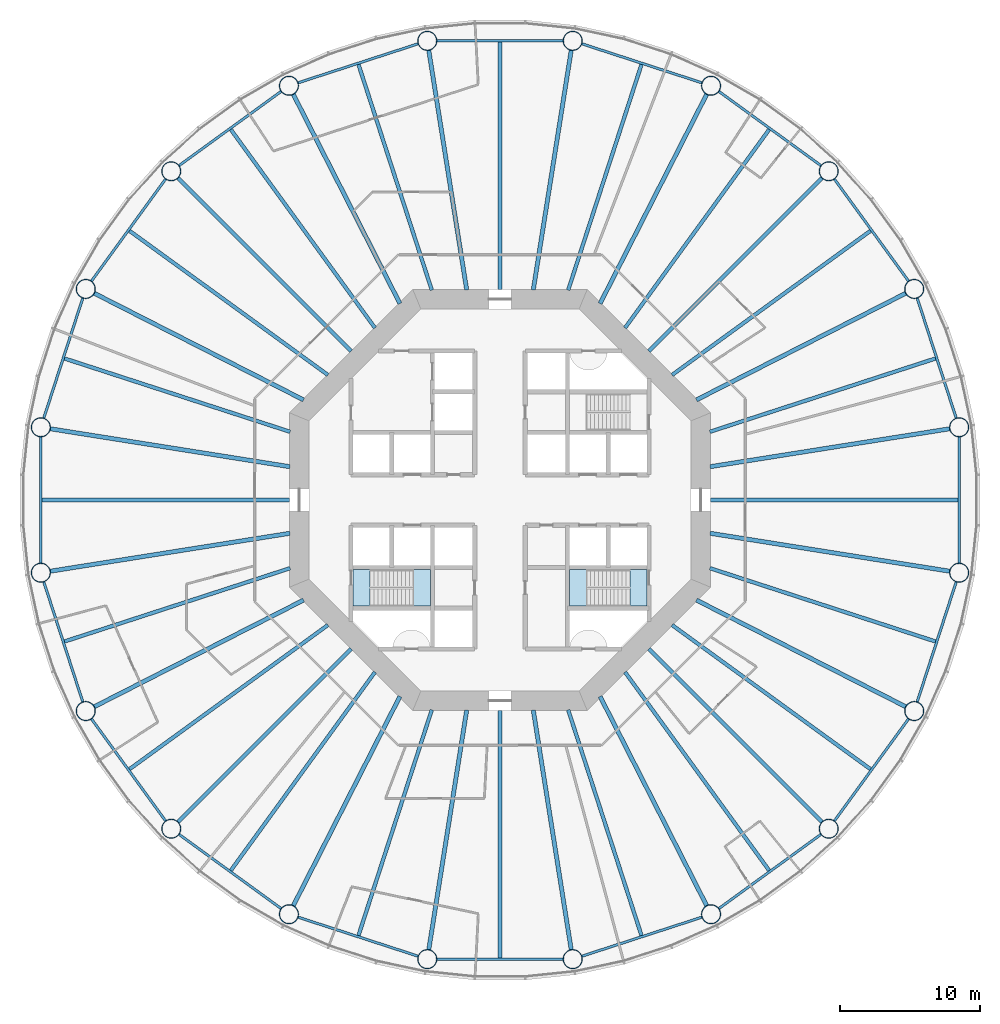
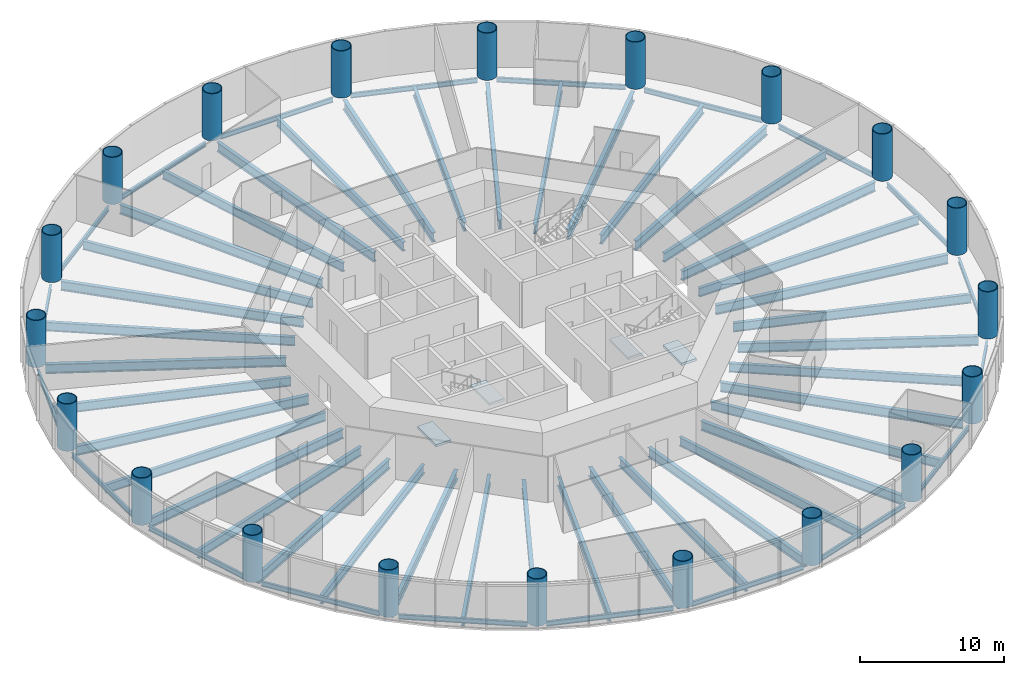
# One storey, part 1 of 13: 60 beams, 20 columns, 4 slabs, 2 elements without a shape of their own.
"""IFC4 building model written with IfcOpenShell, lengths in metres."""

from ifc_helpers import new_model, si_unit, direction, frame, origin, origin_2d, place, context, subcontext, project, spatial, polyline, circle, hollow_circle, i_section, outline, extrude, material, layer, layer_set, material_profile, profile_set, type_object, element, aggregate, save


model = new_model("IFC4")

# Units and contexts
model_context = context("Model", 3, precision=1e-05, world=origin(), true_north=direction((0.0, 1.0)))
body_context = subcontext(model_context, "Body", "Model", "MODEL_VIEW")
ifc_project = project(units=[si_unit("LENGTHUNIT", "METRE"), si_unit("AREAUNIT", "SQUARE_METRE"), si_unit("VOLUMEUNIT", "CUBIC_METRE"), si_unit("PLANEANGLEUNIT", "RADIAN"), si_unit("MASSUNIT", "GRAM", prefix="KILO")], contexts=[model_context])

# Site, building, storey
site_placement = place(None, origin())
site = spatial("IfcSite", under=ifc_project, at=site_placement, CompositionType="ELEMENT")
building_placement = place(site_placement, origin())
building = spatial("IfcBuilding", under=site, at=building_placement, Name="Entoto Ring Tower", CompositionType="ELEMENT")
storey_placement = place(building_placement, frame((0.0, 0.0, 26.0)))
storey = spatial("IfcBuildingStorey", under=building, at=storey_placement, Name="L04", CompositionType="ELEMENT", Elevation=26.0)

# Columns
ifc_material_1 = material(Name="Steel S355", Category="steel")
ifc_material_profile_1 = material_profile(ifc_material_1, hollow_circle(Radius=0.699951171875, WallThickness=0.06005859375, at=origin_2d()), Name="CHS 1400 x 60")
ifc_material_2 = material(Name="Concrete C60/75", Category="concrete")
ifc_material_profile_2 = material_profile(ifc_material_2, circle(Radius=0.639892578125, at=origin_2d()), Name="Concrete C60/75 infill")
ifc_profile_set_1 = profile_set([ifc_material_profile_1, ifc_material_profile_2], Name="Steel S355")
column_type = type_object("IfcColumnType", Name="Ring column 1400 x 60 concrete-filled tube", PredefinedType="COLUMN", material=ifc_profile_set_1)
for number, where, z_axis, x_axis, name in (
    (1, (122.6923828125, 85.177978515625, 0.0), (0.0, 0.0, 1.0), (1.0, 0.0, 0.0), "RC1 R01"),
    (2, (119.492431640625, 95.027099609375, 0.0), (0.0, 0.0, 1.0), (1.0, 0.0, 0.0), "RC1 R02"),
    (3, (113.4052734375, 103.4052734375, 0.0), (0.0, 0.0, 1.0), (1.0, 0.0, 0.0), "RC1 R03"),
    (4, (105.027099609375, 109.492431640625, 0.0), (0.0, 0.0, 1.0), (1.0, 0.0, 0.0), "RC1 R04"),
    (5, (95.177978515625, 112.6923828125, 0.0), (0.0, 0.0, 1.0), (1.0, 0.0, 0.0), "RC1 R05"),
    (6, (84.822021484375, 112.6923828125, 0.0), (0.0, 0.0, 1.0), (1.0, 0.0, 0.0), "RC1 R06"),
    (7, (74.972900390625, 109.492431640625, 0.0), (0.0, 0.0, 1.0), (1.0, 0.0, 0.0), "RC1 R07"),
    (8, (66.5947265625, 103.4052734375, 0.0), (0.0, 0.0, 1.0), (1.0, 0.0, 0.0), "RC1 R08"),
    (9, (60.507568359375, 95.027099609375, 0.0), (0.0, 0.0, 1.0), (1.0, 0.0, 0.0), "RC1 R09"),
    (10, (57.3076171875, 85.177978515625, 0.0), (0.0, 0.0, 1.0), (1.0, 0.0, 0.0), "RC1 R10"),
    (11, (57.3076171875, 74.822021484375, 0.0), (0.0, 0.0, 1.0), (1.0, 0.0, 0.0), "RC1 R11"),
    (12, (60.507568359375, 64.972900390625, 0.0), (0.0, 0.0, 1.0), (1.0, 0.0, 0.0), "RC1 R12"),
    (13, (66.5947265625, 56.5947265625, 0.0), (0.0, 0.0, 1.0), (1.0, 0.0, 0.0), "RC1 R13"),
    (14, (74.972900390625, 50.507568359375, 0.0), (0.0, 0.0, 1.0), (1.0, 0.0, 0.0), "RC1 R14"),
    (15, (84.822021484375, 47.3076171875, 0.0), (0.0, 0.0, 1.0), (1.0, 0.0, 0.0), "RC1 R15"),
    (16, (95.177978515625, 47.3076171875, 0.0), (0.0, 0.0, 1.0), (1.0, 0.0, 0.0), "RC1 R16"),
    (17, (105.027099609375, 50.507568359375, 0.0), (0.0, 0.0, 1.0), (1.0, 0.0, 0.0), "RC1 R17"),
    (18, (113.4052734375, 56.5947265625, 0.0), (0.0, 0.0, 1.0), (1.0, 0.0, 0.0), "RC1 R18"),
    (19, (119.492431640625, 64.972900390625, 0.0), (0.0, 0.0, 1.0), (1.0, 0.0, 0.0), "RC1 R19"),
    (20, (122.6923828125, 74.822021484375, 0.0), (0.0, 0.0, 1.0), (1.0, 0.0, 0.0), "RC1 R20"),
):
    element("IfcColumn", number, at=place(storey_placement, frame(where, z_axis=z_axis, x_axis=x_axis)), inside=storey, type_object=column_type, Name=name, PredefinedType="COLUMN", context=body_context, shape_type="SweptSolid", body=[
        extrude(hollow_circle(Radius=0.699951171875, WallThickness=0.06005859375, at=origin_2d()), origin(), (0.0, 0.0, 1.0), 4.0),
    ])

# Beams
ifc_material_3 = material(Name="Steel S355", Category="steel")
ifc_material_profile_3 = material_profile(ifc_material_3, i_section(OverallWidth=0.179931640625, OverallDepth=0.39990234375, WebThickness=0.008544921875, FlangeThickness=0.013427734375, FilletRadius=0.02099609375, at=origin_2d()), Name="IPE 400")
ifc_profile_set_2 = profile_set([ifc_material_profile_3], Name="Steel S355")
beam_type_1 = type_object("IfcBeamType", Name="Edge beam IPE 400", PredefinedType="SPANDREL", material=ifc_profile_set_2)
for number, where, z_axis, x_axis, name in (
    (21, (122.484130859375, 85.819091796875, -0.35009765625), (-0.309006400295, 0.951059958455, 0.0), (-0.951059958455, -0.309006400295, 0.0), "Edge beam L04 01"),
    (22, (119.09619140625, 95.572509765625, -0.35009765625), (-0.587792917156, 0.80901142547, 0.0), (-0.80901142547, -0.587792917156, 0.0), "Edge beam L04 02"),
    (23, (112.85986328125, 103.801513671875, -0.35009765625), (-0.80901142547, 0.587792917156, 0.0), (-0.587792917156, -0.80901142547, 0.0), "Edge beam L04 03"),
    (24, (104.385986328125, 109.70068359375, -0.35009765625), (-0.951059958455, 0.309006400295, 0.0), (-0.309006400295, -0.951059958455, 0.0), "Edge beam L04 04"),
    (25, (94.50390625, 112.6923828125, -0.35009765625), (-1.0, 0.0, 0.0), (0.0, -1.0, 0.0), "Edge beam L04 05"),
    (26, (84.180908203125, 112.484130859375, -0.35009765625), (-0.951059958455, -0.309006400295, 0.0), (0.309006400295, -0.951059958455, 0.0), "Edge beam L04 06"),
    (27, (74.427490234375, 109.09619140625, -0.35009765625), (-0.80901142547, -0.587792917156, 0.0), (0.587792917156, -0.80901142547, 0.0), "Edge beam L04 07"),
    (28, (66.198486328125, 102.85986328125, -0.35009765625), (-0.587792917156, -0.80901142547, 0.0), (0.80901142547, -0.587792917156, 0.0), "Edge beam L04 08"),
    (29, (60.29931640625, 94.385986328125, -0.35009765625), (-0.309006400295, -0.951059958455, 0.0), (0.951059958455, -0.309006400295, 0.0), "Edge beam L04 09"),
    (30, (57.3076171875, 84.50390625, -0.35009765625), (0.0, -1.0, 0.0), (1.0, 0.0, 0.0), "Edge beam L04 10"),
    (31, (57.515869140625, 74.180908203125, -0.35009765625), (0.309006400295, -0.951059958455, 0.0), (0.951059958455, 0.309006400295, 0.0), "Edge beam L04 11"),
    (32, (60.90380859375, 64.427490234375, -0.35009765625), (0.587792917156, -0.80901142547, 0.0), (0.80901142547, 0.587792917156, 0.0), "Edge beam L04 12"),
    (33, (67.14013671875, 56.198486328125, -0.35009765625), (0.80901142547, -0.587792917156, 0.0), (0.587792917156, 0.80901142547, 0.0), "Edge beam L04 13"),
    (34, (75.614013671875, 50.29931640625, -0.35009765625), (0.951059958455, -0.309006400295, 0.0), (0.309006400295, 0.951059958455, 0.0), "Edge beam L04 14"),
    (35, (85.49609375, 47.3076171875, -0.35009765625), (1.0, 0.0, 0.0), (0.0, 1.0, 0.0), "Edge beam L04 15"),
    (36, (95.819091796875, 47.515869140625, -0.35009765625), (0.951059958455, 0.309006400295, 0.0), (-0.309006400295, 0.951059958455, 0.0), "Edge beam L04 16"),
    (37, (105.572509765625, 50.90380859375, -0.35009765625), (0.80901142547, 0.587792917156, 0.0), (-0.587792917156, 0.80901142547, 0.0), "Edge beam L04 17"),
    (38, (113.801513671875, 57.14013671875, -0.35009765625), (0.587792917156, 0.80901142547, 0.0), (-0.80901142547, 0.587792917156, 0.0), "Edge beam L04 18"),
    (39, (119.70068359375, 65.614013671875, -0.35009765625), (0.309006400295, 0.951059958455, 0.0), (-0.951059958455, 0.309006400295, 0.0), "Edge beam L04 19"),
    (40, (122.6923828125, 75.49609375, -0.35009765625), (0.0, 1.0, 0.0), (-1.0, 0.0, 0.0), "Edge beam L04 20"),
):
    element("IfcBeam", number, at=place(storey_placement, frame(where, z_axis=z_axis, x_axis=x_axis)), inside=storey, type_object=beam_type_1, Name=name, PredefinedType="SPANDREL", context=body_context, shape_type="SweptSolid", body=[
        extrude(i_section(OverallWidth=0.179931640625, OverallDepth=0.39990234375, WebThickness=0.008544921875, FlangeThickness=0.013427734375, FilletRadius=0.02099609375, at=origin_2d()), origin(), (0.0, 0.0, 1.0), 9.0078125),
    ])
ifc_material_4 = material(Name="Steel S355", Category="steel")
ifc_material_profile_4 = material_profile(ifc_material_4, i_section(OverallWidth=0.300048828125, OverallDepth=0.800048828125, WebThickness=0.017578125, FlangeThickness=0.032958984375, FilletRadius=0.030029296875, at=origin_2d()), Name="HE 800 B")
ifc_profile_set_3 = profile_set([ifc_material_profile_4], Name="Steel S355")
beam_type_2 = type_object("IfcBeamType", Name="Primary floor beam HE 800 B", PredefinedType="BEAM", material=ifc_profile_set_3)
beam_1_placement = place(storey_placement, frame((104.956787109375, 82.368896484375, -0.550048828125), z_axis=(0.98768775999, 0.156438130794, 0.0), x_axis=(-0.156438130794, 0.98768775999, 0.0)))
element("IfcBeam", 41, at=beam_1_placement, inside=storey, type_object=beam_type_2, Name="Primary L04 R01", PredefinedType="BEAM", context=body_context, shape_type="SweptSolid", body=[
    extrude(i_section(OverallWidth=0.300048828125, OverallDepth=0.800048828125, WebThickness=0.017578125, FlangeThickness=0.032958984375, FilletRadius=0.030029296875, at=origin_2d()), origin(), (0.0, 0.0, 1.0), 17.293212890625),
])
beam_2_placement = place(storey_placement, frame((103.99169921875, 87.129150390625, -0.550048828125), z_axis=(0.891007761657, 0.453988071063, 0.0), x_axis=(-0.453988071063, 0.891007761657, 0.0)))
element("IfcBeam", 42, at=beam_2_placement, inside=storey, type_object=beam_type_2, Name="Primary L04 R02", PredefinedType="BEAM", context=body_context, shape_type="SweptSolid", body=[
    extrude(i_section(OverallWidth=0.300048828125, OverallDepth=0.800048828125, WebThickness=0.017578125, FlangeThickness=0.032958984375, FilletRadius=0.030029296875, at=origin_2d()), origin(), (0.0, 0.0, 1.0), 16.733154296875),
])
beam_3_placement = place(storey_placement, frame((100.592529296875, 90.592529296875, -0.550048828125), z_axis=(0.707106781187, 0.707106781187, 0.0), x_axis=(-0.707106781187, 0.707106781187, 0.0)))
element("IfcBeam", 43, at=beam_3_placement, inside=storey, type_object=beam_type_2, Name="Primary L04 R03", PredefinedType="BEAM", context=body_context, shape_type="SweptSolid", body=[
    extrude(i_section(OverallWidth=0.300048828125, OverallDepth=0.800048828125, WebThickness=0.017578125, FlangeThickness=0.032958984375, FilletRadius=0.030029296875, at=origin_2d()), origin(), (0.0, 0.0, 1.0), 17.456298828125),
])
beam_4_placement = place(storey_placement, frame((97.129150390625, 93.99169921875, -0.550048828125), z_axis=(0.453988071063, 0.891007761657, 0.0), x_axis=(-0.891007761657, 0.453988071063, 0.0)))
element("IfcBeam", 44, at=beam_4_placement, inside=storey, type_object=beam_type_2, Name="Primary L04 R04", PredefinedType="BEAM", context=body_context, shape_type="SweptSolid", body=[
    extrude(i_section(OverallWidth=0.300048828125, OverallDepth=0.800048828125, WebThickness=0.017578125, FlangeThickness=0.032958984375, FilletRadius=0.030029296875, at=origin_2d()), origin(), (0.0, 0.0, 1.0), 16.733154296875),
])
for number, where, z_axis, x_axis, name in (
    (45, (92.368896484375, 94.956787109375, -0.550048828125), (0.156438130794, 0.98768775999, 0.0), (-0.98768775999, 0.156438130794, 0.0), "Primary L04 R05"),
    (46, (87.631103515625, 94.956787109375, -0.550048828125), (-0.156438130794, 0.98768775999, 0.0), (-0.98768775999, -0.156438130794, 0.0), "Primary L04 R06"),
):
    element("IfcBeam", number, at=place(storey_placement, frame(where, z_axis=z_axis, x_axis=x_axis)), inside=storey, type_object=beam_type_2, Name=name, PredefinedType="BEAM", context=body_context, shape_type="SweptSolid", body=[
        extrude(i_section(OverallWidth=0.300048828125, OverallDepth=0.800048828125, WebThickness=0.017578125, FlangeThickness=0.032958984375, FilletRadius=0.030029296875, at=origin_2d()), origin(), (0.0, 0.0, 1.0), 17.293212890625),
    ])
beam_5_placement = place(storey_placement, frame((82.870849609375, 93.99169921875, -0.550048828125), z_axis=(-0.453988071063, 0.891007761657, 0.0), x_axis=(-0.891007761657, -0.453988071063, 0.0)))
element("IfcBeam", 47, at=beam_5_placement, inside=storey, type_object=beam_type_2, Name="Primary L04 R07", PredefinedType="BEAM", context=body_context, shape_type="SweptSolid", body=[
    extrude(i_section(OverallWidth=0.300048828125, OverallDepth=0.800048828125, WebThickness=0.017578125, FlangeThickness=0.032958984375, FilletRadius=0.030029296875, at=origin_2d()), origin(), (0.0, 0.0, 1.0), 16.733154296875),
])
beam_6_placement = place(storey_placement, frame((79.407470703125, 90.592529296875, -0.550048828125), z_axis=(-0.707106781187, 0.707106781187, 0.0), x_axis=(-0.707106781187, -0.707106781187, 0.0)))
element("IfcBeam", 48, at=beam_6_placement, inside=storey, type_object=beam_type_2, Name="Primary L04 R08", PredefinedType="BEAM", context=body_context, shape_type="SweptSolid", body=[
    extrude(i_section(OverallWidth=0.300048828125, OverallDepth=0.800048828125, WebThickness=0.017578125, FlangeThickness=0.032958984375, FilletRadius=0.030029296875, at=origin_2d()), origin(), (0.0, 0.0, 1.0), 17.456298828125),
])
beam_7_placement = place(storey_placement, frame((76.00830078125, 87.129150390625, -0.550048828125), z_axis=(-0.891007761657, 0.453988071063, 0.0), x_axis=(-0.453988071063, -0.891007761657, 0.0)))
element("IfcBeam", 49, at=beam_7_placement, inside=storey, type_object=beam_type_2, Name="Primary L04 R09", PredefinedType="BEAM", context=body_context, shape_type="SweptSolid", body=[
    extrude(i_section(OverallWidth=0.300048828125, OverallDepth=0.800048828125, WebThickness=0.017578125, FlangeThickness=0.032958984375, FilletRadius=0.030029296875, at=origin_2d()), origin(), (0.0, 0.0, 1.0), 16.733154296875),
])
for number, where, z_axis, x_axis, name in (
    (50, (75.043212890625, 82.368896484375, -0.550048828125), (-0.98768775999, 0.156438130794, 0.0), (-0.156438130794, -0.98768775999, 0.0), "Primary L04 R10"),
    (51, (75.043212890625, 77.631103515625, -0.550048828125), (-0.98768775999, -0.156438130794, 0.0), (0.156438130794, -0.98768775999, 0.0), "Primary L04 R11"),
):
    element("IfcBeam", number, at=place(storey_placement, frame(where, z_axis=z_axis, x_axis=x_axis)), inside=storey, type_object=beam_type_2, Name=name, PredefinedType="BEAM", context=body_context, shape_type="SweptSolid", body=[
        extrude(i_section(OverallWidth=0.300048828125, OverallDepth=0.800048828125, WebThickness=0.017578125, FlangeThickness=0.032958984375, FilletRadius=0.030029296875, at=origin_2d()), origin(), (0.0, 0.0, 1.0), 17.293212890625),
    ])
beam_8_placement = place(storey_placement, frame((76.00830078125, 72.870849609375, -0.550048828125), z_axis=(-0.891007761657, -0.453988071063, 0.0), x_axis=(0.453988071063, -0.891007761657, 0.0)))
element("IfcBeam", 52, at=beam_8_placement, inside=storey, type_object=beam_type_2, Name="Primary L04 R12", PredefinedType="BEAM", context=body_context, shape_type="SweptSolid", body=[
    extrude(i_section(OverallWidth=0.300048828125, OverallDepth=0.800048828125, WebThickness=0.017578125, FlangeThickness=0.032958984375, FilletRadius=0.030029296875, at=origin_2d()), origin(), (0.0, 0.0, 1.0), 16.733154296875),
])
beam_9_placement = place(storey_placement, frame((79.407470703125, 69.407470703125, -0.550048828125), z_axis=(-0.707106781187, -0.707106781187, 0.0), x_axis=(0.707106781187, -0.707106781187, 0.0)))
element("IfcBeam", 53, at=beam_9_placement, inside=storey, type_object=beam_type_2, Name="Primary L04 R13", PredefinedType="BEAM", context=body_context, shape_type="SweptSolid", body=[
    extrude(i_section(OverallWidth=0.300048828125, OverallDepth=0.800048828125, WebThickness=0.017578125, FlangeThickness=0.032958984375, FilletRadius=0.030029296875, at=origin_2d()), origin(), (0.0, 0.0, 1.0), 17.456298828125),
])
beam_10_placement = place(storey_placement, frame((82.870849609375, 66.00830078125, -0.550048828125), z_axis=(-0.453988071063, -0.891007761657, 0.0), x_axis=(0.891007761657, -0.453988071063, 0.0)))
element("IfcBeam", 54, at=beam_10_placement, inside=storey, type_object=beam_type_2, Name="Primary L04 R14", PredefinedType="BEAM", context=body_context, shape_type="SweptSolid", body=[
    extrude(i_section(OverallWidth=0.300048828125, OverallDepth=0.800048828125, WebThickness=0.017578125, FlangeThickness=0.032958984375, FilletRadius=0.030029296875, at=origin_2d()), origin(), (0.0, 0.0, 1.0), 16.733154296875),
])
for number, where, z_axis, x_axis, name in (
    (55, (87.631103515625, 65.043212890625, -0.550048828125), (-0.156438130794, -0.98768775999, 0.0), (0.98768775999, -0.156438130794, 0.0), "Primary L04 R15"),
    (56, (92.368896484375, 65.043212890625, -0.550048828125), (0.156438130794, -0.98768775999, 0.0), (0.98768775999, 0.156438130794, 0.0), "Primary L04 R16"),
):
    element("IfcBeam", number, at=place(storey_placement, frame(where, z_axis=z_axis, x_axis=x_axis)), inside=storey, type_object=beam_type_2, Name=name, PredefinedType="BEAM", context=body_context, shape_type="SweptSolid", body=[
        extrude(i_section(OverallWidth=0.300048828125, OverallDepth=0.800048828125, WebThickness=0.017578125, FlangeThickness=0.032958984375, FilletRadius=0.030029296875, at=origin_2d()), origin(), (0.0, 0.0, 1.0), 17.293212890625),
    ])
beam_11_placement = place(storey_placement, frame((97.129150390625, 66.00830078125, -0.550048828125), z_axis=(0.453988071063, -0.891007761657, 0.0), x_axis=(0.891007761657, 0.453988071063, 0.0)))
element("IfcBeam", 57, at=beam_11_placement, inside=storey, type_object=beam_type_2, Name="Primary L04 R17", PredefinedType="BEAM", context=body_context, shape_type="SweptSolid", body=[
    extrude(i_section(OverallWidth=0.300048828125, OverallDepth=0.800048828125, WebThickness=0.017578125, FlangeThickness=0.032958984375, FilletRadius=0.030029296875, at=origin_2d()), origin(), (0.0, 0.0, 1.0), 16.733154296875),
])
beam_12_placement = place(storey_placement, frame((100.592529296875, 69.407470703125, -0.550048828125), z_axis=(0.707106781187, -0.707106781187, 0.0), x_axis=(0.707106781187, 0.707106781187, 0.0)))
element("IfcBeam", 58, at=beam_12_placement, inside=storey, type_object=beam_type_2, Name="Primary L04 R18", PredefinedType="BEAM", context=body_context, shape_type="SweptSolid", body=[
    extrude(i_section(OverallWidth=0.300048828125, OverallDepth=0.800048828125, WebThickness=0.017578125, FlangeThickness=0.032958984375, FilletRadius=0.030029296875, at=origin_2d()), origin(), (0.0, 0.0, 1.0), 17.456298828125),
])
beam_13_placement = place(storey_placement, frame((103.99169921875, 72.870849609375, -0.550048828125), z_axis=(0.891007761657, -0.453988071063, 0.0), x_axis=(0.453988071063, 0.891007761657, 0.0)))
element("IfcBeam", 59, at=beam_13_placement, inside=storey, type_object=beam_type_2, Name="Primary L04 R19", PredefinedType="BEAM", context=body_context, shape_type="SweptSolid", body=[
    extrude(i_section(OverallWidth=0.300048828125, OverallDepth=0.800048828125, WebThickness=0.017578125, FlangeThickness=0.032958984375, FilletRadius=0.030029296875, at=origin_2d()), origin(), (0.0, 0.0, 1.0), 16.733154296875),
])
beam_14_placement = place(storey_placement, frame((104.956787109375, 77.631103515625, -0.550048828125), z_axis=(0.98768775999, -0.156438130794, 0.0), x_axis=(0.156438130794, 0.98768775999, 0.0)))
element("IfcBeam", 60, at=beam_14_placement, inside=storey, type_object=beam_type_2, Name="Primary L04 R20", PredefinedType="BEAM", context=body_context, shape_type="SweptSolid", body=[
    extrude(i_section(OverallWidth=0.300048828125, OverallDepth=0.800048828125, WebThickness=0.017578125, FlangeThickness=0.032958984375, FilletRadius=0.030029296875, at=origin_2d()), origin(), (0.0, 0.0, 1.0), 17.293212890625),
])
ifc_material_5 = material(Name="Steel S355", Category="steel")
ifc_material_profile_5 = material_profile(ifc_material_5, i_section(OverallWidth=0.262939453125, OverallDepth=0.7529296875, WebThickness=0.011474609375, FlangeThickness=0.01708984375, FilletRadius=0.01708984375, at=origin_2d()), Name="IPE 750 x 137")
ifc_profile_set_4 = profile_set([ifc_material_profile_5], Name="Steel S355")
beam_type_3 = type_object("IfcBeamType", Name="Secondary floor beam IPE 750 x 137", PredefinedType="JOIST", material=ifc_profile_set_4)
beam_15_placement = place(storey_placement, frame((104.9404296875, 84.8544921875, -0.526611328125), z_axis=(0.951057855768, 0.30901287187, 0.0), x_axis=(-0.30901287187, 0.951057855768, 0.0)))
element("IfcBeam", 61, at=beam_15_placement, inside=storey, type_object=beam_type_3, Name="Secondary beam L04 01", PredefinedType="JOIST", context=body_context, shape_type="SweptSolid", body=[
    extrude(i_section(OverallWidth=0.262939453125, OverallDepth=0.7529296875, WebThickness=0.011474609375, FlangeThickness=0.01708984375, FilletRadius=0.01708984375, at=origin_2d()), origin(), (0.0, 0.0, 1.0), 16.893310546875),
])
for number, where, z_axis, x_axis, name in (
    (62, (102.25341796875, 88.902587890625, -0.526611328125), (0.809014194973, 0.58778910532, 0.0), (-0.58778910532, 0.809014194973, 0.0), "Secondary beam L04 02"),
    (63, (98.902587890625, 92.25341796875, -0.526611328125), (0.58778910532, 0.809014194973, 0.0), (-0.809014194973, 0.58778910532, 0.0), "Secondary beam L04 03"),
):
    element("IfcBeam", number, at=place(storey_placement, frame(where, z_axis=z_axis, x_axis=x_axis)), inside=storey, type_object=beam_type_3, Name=name, PredefinedType="JOIST", context=body_context, shape_type="SweptSolid", body=[
        extrude(i_section(OverallWidth=0.262939453125, OverallDepth=0.7529296875, WebThickness=0.011474609375, FlangeThickness=0.01708984375, FilletRadius=0.01708984375, at=origin_2d()), origin(), (0.0, 0.0, 1.0), 17.45654296875),
    ])
beam_16_placement = place(storey_placement, frame((94.8544921875, 94.9404296875, -0.526611328125), z_axis=(0.30901287187, 0.951057855768, 0.0), x_axis=(-0.951057855768, 0.30901287187, 0.0)))
element("IfcBeam", 64, at=beam_16_placement, inside=storey, type_object=beam_type_3, Name="Secondary beam L04 04", PredefinedType="JOIST", context=body_context, shape_type="SweptSolid", body=[
    extrude(i_section(OverallWidth=0.262939453125, OverallDepth=0.7529296875, WebThickness=0.011474609375, FlangeThickness=0.01708984375, FilletRadius=0.01708984375, at=origin_2d()), origin(), (0.0, 0.0, 1.0), 16.893310546875),
])
beam_17_placement = place(storey_placement, frame((90.0, 94.97998046875, -0.526611328125), z_axis=(0.0, 1.0, 0.0), x_axis=(-1.0, 0.0, 0.0)))
element("IfcBeam", 65, at=beam_17_placement, inside=storey, type_object=beam_type_3, Name="Secondary beam L04 05", PredefinedType="JOIST", context=body_context, shape_type="SweptSolid", body=[
    extrude(i_section(OverallWidth=0.262939453125, OverallDepth=0.7529296875, WebThickness=0.011474609375, FlangeThickness=0.01708984375, FilletRadius=0.01708984375, at=origin_2d()), origin(), (0.0, 0.0, 1.0), 17.62255859375),
])
beam_18_placement = place(storey_placement, frame((85.1455078125, 94.9404296875, -0.526611328125), z_axis=(-0.30901287187, 0.951057855768, 0.0), x_axis=(-0.951057855768, -0.30901287187, 0.0)))
element("IfcBeam", 66, at=beam_18_placement, inside=storey, type_object=beam_type_3, Name="Secondary beam L04 06", PredefinedType="JOIST", context=body_context, shape_type="SweptSolid", body=[
    extrude(i_section(OverallWidth=0.262939453125, OverallDepth=0.7529296875, WebThickness=0.011474609375, FlangeThickness=0.01708984375, FilletRadius=0.01708984375, at=origin_2d()), origin(), (0.0, 0.0, 1.0), 16.893310546875),
])
for number, where, z_axis, x_axis, name in (
    (67, (81.097412109375, 92.25341796875, -0.526611328125), (-0.58778910532, 0.809014194973, 0.0), (-0.809014194973, -0.58778910532, 0.0), "Secondary beam L04 07"),
    (68, (77.74658203125, 88.902587890625, -0.526611328125), (-0.809014194973, 0.58778910532, 0.0), (-0.58778910532, -0.809014194973, 0.0), "Secondary beam L04 08"),
):
    element("IfcBeam", number, at=place(storey_placement, frame(where, z_axis=z_axis, x_axis=x_axis)), inside=storey, type_object=beam_type_3, Name=name, PredefinedType="JOIST", context=body_context, shape_type="SweptSolid", body=[
        extrude(i_section(OverallWidth=0.262939453125, OverallDepth=0.7529296875, WebThickness=0.011474609375, FlangeThickness=0.01708984375, FilletRadius=0.01708984375, at=origin_2d()), origin(), (0.0, 0.0, 1.0), 17.45654296875),
    ])
beam_19_placement = place(storey_placement, frame((75.0595703125, 84.8544921875, -0.526611328125), z_axis=(-0.951057855768, 0.30901287187, 0.0), x_axis=(-0.30901287187, -0.951057855768, 0.0)))
element("IfcBeam", 69, at=beam_19_placement, inside=storey, type_object=beam_type_3, Name="Secondary beam L04 09", PredefinedType="JOIST", context=body_context, shape_type="SweptSolid", body=[
    extrude(i_section(OverallWidth=0.262939453125, OverallDepth=0.7529296875, WebThickness=0.011474609375, FlangeThickness=0.01708984375, FilletRadius=0.01708984375, at=origin_2d()), origin(), (0.0, 0.0, 1.0), 16.893310546875),
])
beam_20_placement = place(storey_placement, frame((75.02001953125, 80.0, -0.526611328125), z_axis=(-1.0, 0.0, 0.0), x_axis=(0.0, -1.0, 0.0)))
element("IfcBeam", 70, at=beam_20_placement, inside=storey, type_object=beam_type_3, Name="Secondary beam L04 10", PredefinedType="JOIST", context=body_context, shape_type="SweptSolid", body=[
    extrude(i_section(OverallWidth=0.262939453125, OverallDepth=0.7529296875, WebThickness=0.011474609375, FlangeThickness=0.01708984375, FilletRadius=0.01708984375, at=origin_2d()), origin(), (0.0, 0.0, 1.0), 17.62255859375),
])
beam_21_placement = place(storey_placement, frame((75.0595703125, 75.1455078125, -0.526611328125), z_axis=(-0.951057855768, -0.30901287187, 0.0), x_axis=(0.30901287187, -0.951057855768, 0.0)))
element("IfcBeam", 71, at=beam_21_placement, inside=storey, type_object=beam_type_3, Name="Secondary beam L04 11", PredefinedType="JOIST", context=body_context, shape_type="SweptSolid", body=[
    extrude(i_section(OverallWidth=0.262939453125, OverallDepth=0.7529296875, WebThickness=0.011474609375, FlangeThickness=0.01708984375, FilletRadius=0.01708984375, at=origin_2d()), origin(), (0.0, 0.0, 1.0), 16.893310546875),
])
for number, where, z_axis, x_axis, name in (
    (72, (77.74658203125, 71.097412109375, -0.526611328125), (-0.809014194973, -0.58778910532, 0.0), (0.58778910532, -0.809014194973, 0.0), "Secondary beam L04 12"),
    (73, (81.097412109375, 67.74658203125, -0.526611328125), (-0.58778910532, -0.809014194973, 0.0), (0.809014194973, -0.58778910532, 0.0), "Secondary beam L04 13"),
):
    element("IfcBeam", number, at=place(storey_placement, frame(where, z_axis=z_axis, x_axis=x_axis)), inside=storey, type_object=beam_type_3, Name=name, PredefinedType="JOIST", context=body_context, shape_type="SweptSolid", body=[
        extrude(i_section(OverallWidth=0.262939453125, OverallDepth=0.7529296875, WebThickness=0.011474609375, FlangeThickness=0.01708984375, FilletRadius=0.01708984375, at=origin_2d()), origin(), (0.0, 0.0, 1.0), 17.45654296875),
    ])
beam_22_placement = place(storey_placement, frame((85.1455078125, 65.0595703125, -0.526611328125), z_axis=(-0.30901287187, -0.951057855768, 0.0), x_axis=(0.951057855768, -0.30901287187, 0.0)))
element("IfcBeam", 74, at=beam_22_placement, inside=storey, type_object=beam_type_3, Name="Secondary beam L04 14", PredefinedType="JOIST", context=body_context, shape_type="SweptSolid", body=[
    extrude(i_section(OverallWidth=0.262939453125, OverallDepth=0.7529296875, WebThickness=0.011474609375, FlangeThickness=0.01708984375, FilletRadius=0.01708984375, at=origin_2d()), origin(), (0.0, 0.0, 1.0), 16.893310546875),
])
beam_23_placement = place(storey_placement, frame((90.0, 65.02001953125, -0.526611328125), z_axis=(0.0, -1.0, 0.0), x_axis=(1.0, 0.0, 0.0)))
element("IfcBeam", 75, at=beam_23_placement, inside=storey, type_object=beam_type_3, Name="Secondary beam L04 15", PredefinedType="JOIST", context=body_context, shape_type="SweptSolid", body=[
    extrude(i_section(OverallWidth=0.262939453125, OverallDepth=0.7529296875, WebThickness=0.011474609375, FlangeThickness=0.01708984375, FilletRadius=0.01708984375, at=origin_2d()), origin(), (0.0, 0.0, 1.0), 17.62255859375),
])
beam_24_placement = place(storey_placement, frame((94.8544921875, 65.0595703125, -0.526611328125), z_axis=(0.30901287187, -0.951057855768, 0.0), x_axis=(0.951057855768, 0.30901287187, 0.0)))
element("IfcBeam", 76, at=beam_24_placement, inside=storey, type_object=beam_type_3, Name="Secondary beam L04 16", PredefinedType="JOIST", context=body_context, shape_type="SweptSolid", body=[
    extrude(i_section(OverallWidth=0.262939453125, OverallDepth=0.7529296875, WebThickness=0.011474609375, FlangeThickness=0.01708984375, FilletRadius=0.01708984375, at=origin_2d()), origin(), (0.0, 0.0, 1.0), 16.893310546875),
])
for number, where, z_axis, x_axis, name in (
    (77, (98.902587890625, 67.74658203125, -0.526611328125), (0.58778910532, -0.809014194973, 0.0), (0.809014194973, 0.58778910532, 0.0), "Secondary beam L04 17"),
    (78, (102.25341796875, 71.097412109375, -0.526611328125), (0.809014194973, -0.58778910532, 0.0), (0.58778910532, 0.809014194973, 0.0), "Secondary beam L04 18"),
):
    element("IfcBeam", number, at=place(storey_placement, frame(where, z_axis=z_axis, x_axis=x_axis)), inside=storey, type_object=beam_type_3, Name=name, PredefinedType="JOIST", context=body_context, shape_type="SweptSolid", body=[
        extrude(i_section(OverallWidth=0.262939453125, OverallDepth=0.7529296875, WebThickness=0.011474609375, FlangeThickness=0.01708984375, FilletRadius=0.01708984375, at=origin_2d()), origin(), (0.0, 0.0, 1.0), 17.45654296875),
    ])
beam_25_placement = place(storey_placement, frame((104.9404296875, 75.1455078125, -0.526611328125), z_axis=(0.951057855768, -0.30901287187, 0.0), x_axis=(0.30901287187, 0.951057855768, 0.0)))
element("IfcBeam", 79, at=beam_25_placement, inside=storey, type_object=beam_type_3, Name="Secondary beam L04 19", PredefinedType="JOIST", context=body_context, shape_type="SweptSolid", body=[
    extrude(i_section(OverallWidth=0.262939453125, OverallDepth=0.7529296875, WebThickness=0.011474609375, FlangeThickness=0.01708984375, FilletRadius=0.01708984375, at=origin_2d()), origin(), (0.0, 0.0, 1.0), 16.893310546875),
])
beam_26_placement = place(storey_placement, frame((104.97998046875, 80.0, -0.526611328125), z_axis=(1.0, 0.0, 0.0), x_axis=(0.0, 1.0, 0.0)))
element("IfcBeam", 80, at=beam_26_placement, inside=storey, type_object=beam_type_3, Name="Secondary beam L04 20", PredefinedType="JOIST", context=body_context, shape_type="SweptSolid", body=[
    extrude(i_section(OverallWidth=0.262939453125, OverallDepth=0.7529296875, WebThickness=0.011474609375, FlangeThickness=0.01708984375, FilletRadius=0.01708984375, at=origin_2d()), origin(), (0.0, 0.0, 1.0), 17.62255859375),
])

# Stair, slabs
ifc_material_6 = material(Name="Concrete C40/50", Category="concrete")
stair_type = type_object("IfcStairType", Name="Exit stair 1200 mm dog-leg reinforced concrete", PredefinedType="HALF_TURN_STAIR", material=ifc_material_6)
stair_1_placement = place(storey_placement, origin())
stair_1 = element("IfcStair", 81, at=stair_1_placement, inside=storey, type_object=stair_type, Name="Exit stair 2", PredefinedType="HALF_TURN_STAIR")
ifc_material_7 = material(Name="Concrete C40/50", Category="concrete")
ifc_layer = layer(ifc_material_7, 0.199951171875)
ifc_layer_set = layer_set([ifc_layer], Name="Concrete C40/50")
slab_type = type_object("IfcSlabType", Name="Stair landing 200 mm reinforced concrete", PredefinedType="LANDING", material=ifc_layer_set)
slab_1_placement = place(storey_placement, frame((0.0, 0.0, -0.199951171875)))
slab_1 = element("IfcSlab", 82, at=slab_1_placement, type_object=slab_type, Name="ST2 landing 1", PredefinedType="LANDING", context=body_context, shape_type="SweptSolid", body=[
    extrude(outline(polyline([(80.75, 72.449951171875), (80.75, 75.050048828125), (79.550048828125, 75.050048828125), (79.550048828125, 72.449951171875), (80.75, 72.449951171875)])), origin(), (0.0, 0.0, 1.0), 0.199951171875),
])
slab_2_placement = place(storey_placement, frame((0.0, 0.0, 1.800048828125)))
slab_2 = element("IfcSlab", 83, at=slab_2_placement, type_object=slab_type, Name="ST2 landing 2", PredefinedType="LANDING", context=body_context, shape_type="SweptSolid", body=[
    extrude(outline(polyline([(83.830078125, 72.449951171875), (85.050048828125, 72.449951171875), (85.050048828125, 75.050048828125), (83.830078125, 75.050048828125), (83.830078125, 72.449951171875)])), origin(), (0.0, 0.0, 1.0), 0.199951171875),
])
aggregate(stair_1, [slab_1, slab_2])

stair_2_placement = place(storey_placement, origin())
stair_2 = element("IfcStair", 84, at=stair_2_placement, inside=storey, type_object=stair_type, Name="Exit stair 3", PredefinedType="HALF_TURN_STAIR")
slab_3_placement = place(storey_placement, frame((0.0, 0.0, -0.199951171875)))
slab_3 = element("IfcSlab", 85, at=slab_3_placement, type_object=slab_type, Name="ST3 landing 1", PredefinedType="LANDING", context=body_context, shape_type="SweptSolid", body=[
    extrude(outline(polyline([(100.449951171875, 72.449951171875), (100.449951171875, 75.050048828125), (99.25, 75.050048828125), (99.25, 72.449951171875), (100.449951171875, 72.449951171875)])), origin(), (0.0, 0.0, 1.0), 0.199951171875),
])
slab_4_placement = place(storey_placement, frame((0.0, 0.0, 1.800048828125)))
slab_4 = element("IfcSlab", 86, at=slab_4_placement, type_object=slab_type, Name="ST3 landing 2", PredefinedType="LANDING", context=body_context, shape_type="SweptSolid", body=[
    extrude(outline(polyline([(94.949951171875, 72.449951171875), (96.169921875, 72.449951171875), (96.169921875, 75.050048828125), (94.949951171875, 75.050048828125), (94.949951171875, 72.449951171875)])), origin(), (0.0, 0.0, 1.0), 0.199951171875),
])
aggregate(stair_2, [slab_3, slab_4])

save(model, "model.ifc")
